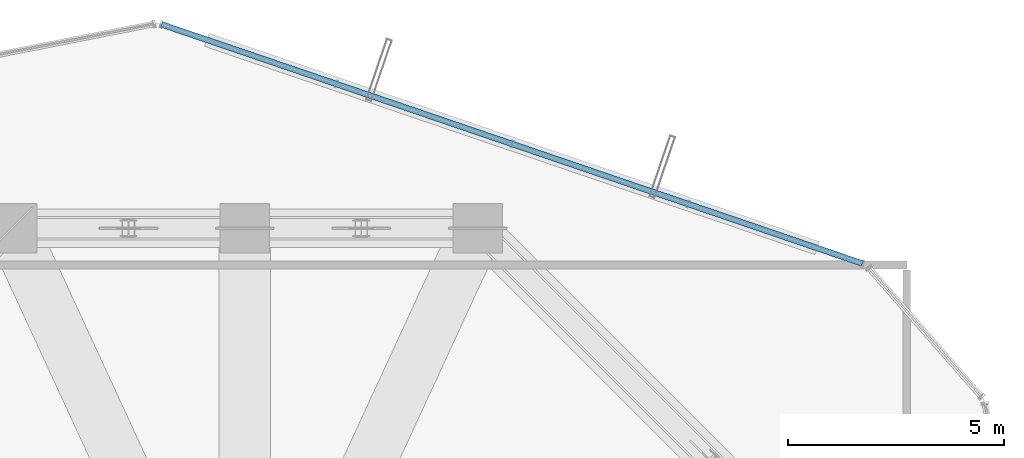
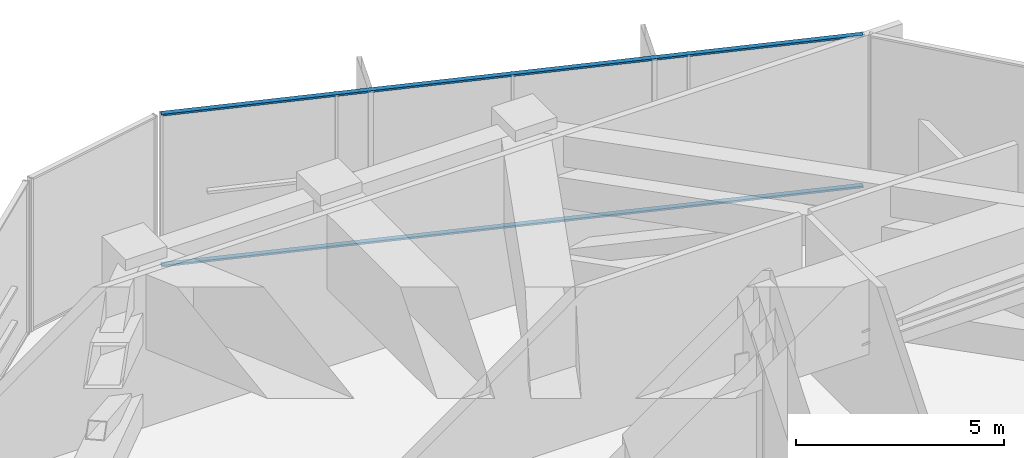
# One storey, part 27 of 36: 2 members, 1 element without a shape of its own.
"""IFC4 building model written with IfcOpenShell, lengths in metres."""

from ifc_helpers import new_model, si_unit, direction, frame, origin, origin_2d, place, context, subcontext, project, spatial, hollow_rectangle, extrude, source, transform, mapped, material, layer, layer_set, material_profile, profile_set, type_object, element, aggregate, save


model = new_model("IFC4")

# Units and contexts
model_context = context("Model", 3, precision=1e-05, world=origin(), true_north=direction((0.0, 1.0)))
body_context = subcontext(model_context, "Body", "Model", "MODEL_VIEW")
ifc_project = project(units=[si_unit("LENGTHUNIT", "METRE"), si_unit("AREAUNIT", "SQUARE_METRE"), si_unit("VOLUMEUNIT", "CUBIC_METRE"), si_unit("PLANEANGLEUNIT", "RADIAN"), si_unit("MASSUNIT", "GRAM", prefix="KILO")], contexts=[model_context])

# Site, building, storey
site_placement = place(None, origin())
site = spatial("IfcSite", under=ifc_project, at=site_placement, CompositionType="ELEMENT")
building_placement = place(site_placement, origin())
building = spatial("IfcBuilding", under=site, at=building_placement, Name="Veraguas Prism Commons", CompositionType="ELEMENT")
storey_placement = place(building_placement, frame((0.0, 0.0, 169.550048828125)))
storey = spatial("IfcBuildingStorey", under=building, at=storey_placement, Name="L48", CompositionType="ELEMENT", Elevation=169.550048828125)

# Curtain wall, members
ifc_material = material(Name="Anodised aluminium EN AW-6063 T6", Category="aluminium")
ifc_layer = layer(ifc_material, 0.169921875, Name="Unitised Flush Curtain Wall Zone 2", Category="aluminium")
ifc_layer_set = layer_set([ifc_layer], Name="Anodised aluminium EN AW-6063 T6")
curtain_wall_type = type_object("IfcCurtainWallType", Name="Unitised Flush Curtain Wall Zone 2", PredefinedType="NOTDEFINED", material=ifc_layer_set)
curtain_wall_placement = place(storey_placement, origin())
curtain_wall = element("IfcCurtainWall", 1, at=curtain_wall_placement, inside=storey, type_object=curtain_wall_type, Name="Tower Facade Curtain Wall L48-F1", PredefinedType="NOTDEFINED")
ifc_material_profile = material_profile(ifc_material, hollow_rectangle(XDim=0.054931640625, YDim=0.135009765625, WallThickness=0.0029296875, at=origin_2d()), Name="AL55X135X3")
ifc_profile_set = profile_set([ifc_material_profile], Name="Anodised aluminium EN AW-6063 T6")
member_type = type_object("IfcMemberType", Name="Curtain Wall Transom Standard AL 55x135x3", PredefinedType="USERDEFINED", material=ifc_profile_set)
shared_shape = source(origin(), body_context, "Body", "SweptSolid", [
    extrude(hollow_rectangle(XDim=0.054931640625, YDim=0.135009765625, WallThickness=0.0029296875, at=origin_2d()), origin(), (0.0, 0.0, 1.0), 17.17431640625),
])
member_1_placement = place(storey_placement, frame((38.321533203125, 39.381591796875, 0.02734375), z_axis=(-0.946422038145, 0.322932385667, 0.0), x_axis=(0.0, 0.0, 1.0)))
member_1 = element("IfcMember", 2, at=member_1_placement, type_object=member_type, Name="CW-Z2 Transom 1", ObjectType="TRANSOM", PredefinedType="USERDEFINED", context=body_context, shape_type="MappedRepresentation", body=[
    mapped(shared_shape, transform((0.0, 0.0, 0.0), scale=1.0)),
])
member_2_placement = place(storey_placement, frame((38.321533203125, 39.381591796875, 4.452392578125), z_axis=(-0.946422038145, 0.322932385667, 0.0), x_axis=(0.0, 0.0, 1.0)))
member_2 = element("IfcMember", 3, at=member_2_placement, type_object=member_type, Name="CW-Z2 Transom 2", ObjectType="TRANSOM", PredefinedType="USERDEFINED", context=body_context, shape_type="MappedRepresentation", body=[
    mapped(shared_shape, transform((0.0, 0.0, 0.0), scale=1.0)),
])
aggregate(curtain_wall, [member_1, member_2])

save(model, "model.ifc")
